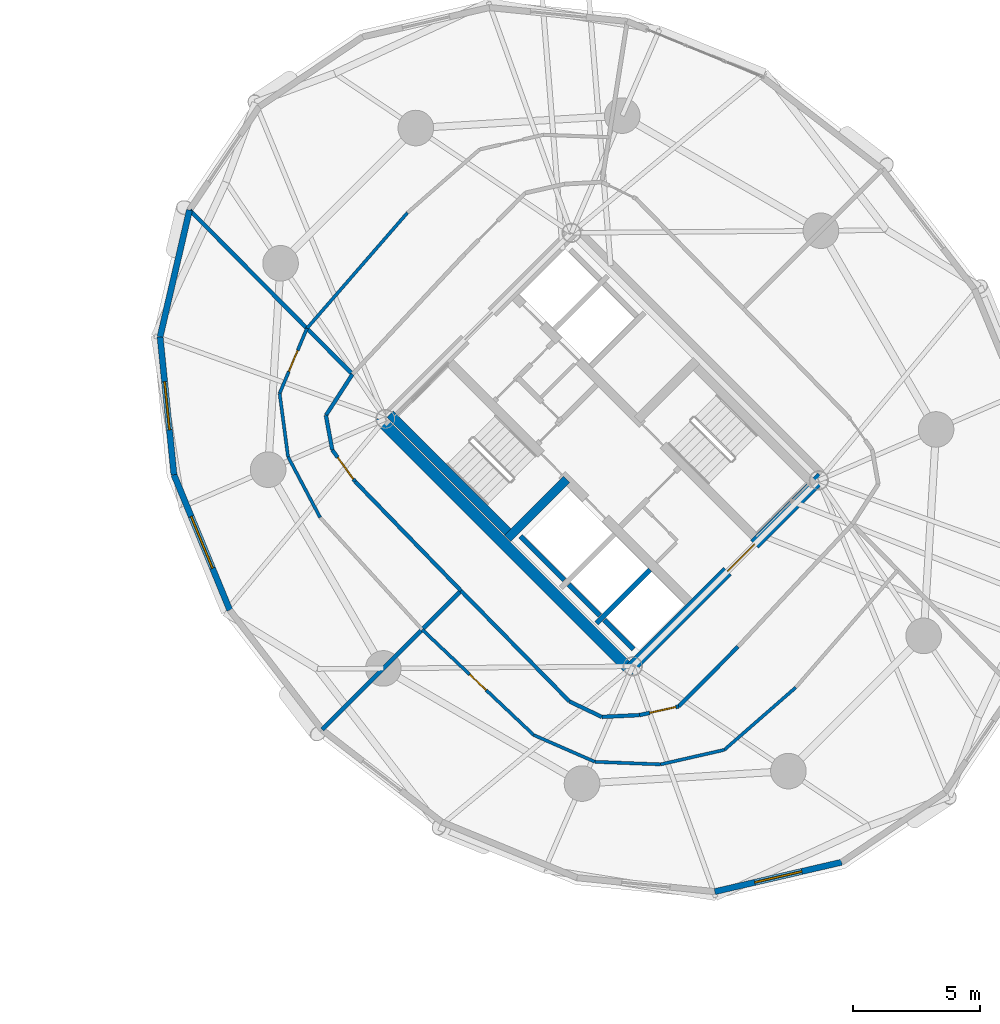
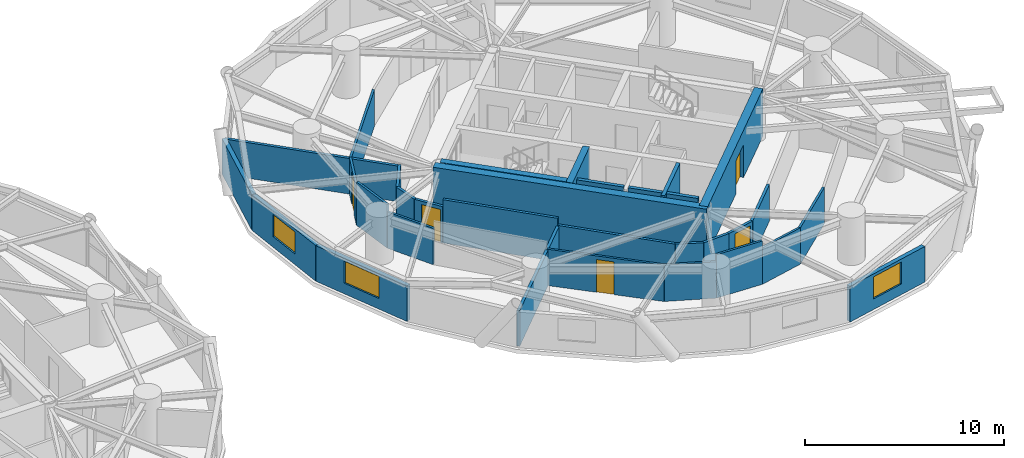
# One storey, part 12 of 17: 32 walls, 5 doors, 3 windows, 8 openings.
"""IFC4 building model written with IfcOpenShell, lengths in metres."""

from ifc_helpers import new_model, si_unit, direction, frame, frame_2d, origin, place, context, subcontext, project, spatial, rectangle, extrude, source, transform, mapped, material, layer, layer_set, type_object, element, fill, save


model = new_model("IFC4")

# Units and contexts
model_context = context("Model", 3, precision=1e-05, world=origin(), true_north=direction((0.0, 1.0)))
body_context = subcontext(model_context, "Body", "Model", "MODEL_VIEW")
ifc_project = project(units=[si_unit("LENGTHUNIT", "METRE"), si_unit("AREAUNIT", "SQUARE_METRE"), si_unit("VOLUMEUNIT", "CUBIC_METRE"), si_unit("PLANEANGLEUNIT", "RADIAN"), si_unit("MASSUNIT", "GRAM", prefix="KILO")], contexts=[model_context])

# Site, building, storey
site_placement = place(None, origin())
site = spatial("IfcSite", under=ifc_project, at=site_placement, CompositionType="ELEMENT")
building_placement = place(site_placement, origin())
building = spatial("IfcBuilding", under=site, at=building_placement, Name="Cununo Teusaquillo Station Towers", CompositionType="ELEMENT")
storey_placement = place(building_placement, frame((0.0, 0.0, 90.52001953125)))
storey = spatial("IfcBuildingStorey", under=building, at=storey_placement, Name="L28", CompositionType="ELEMENT", Elevation=90.52001953125)

# Walls
ifc_material_1 = material(Name="Concrete C50/60", Category="concrete")
ifc_layer_1 = layer(ifc_material_1, 0.199951171875)
ifc_layer_set_1 = layer_set([ifc_layer_1], Name="Concrete C50/60")
wall_type_1 = type_object("IfcWallType", Name="WL-CORE-200", PredefinedType="SHEAR", material=ifc_layer_set_1)
wall_1_placement = place(storey_placement, frame((56.01513671875, 19.366455078125, 0.0), z_axis=(0.0, 0.0, 1.0), x_axis=(-0.707106781187, 0.707106781187, 0.0)))
element("IfcWall", 1, at=wall_1_placement, inside=storey, type_object=wall_type_1, Name="L28 Tower B Firefighting Lift Shaft Rear Shear Wall", PredefinedType="SHEAR", context=body_context, shape_type="SweptSolid", body=[
    extrude(rectangle(XDim=2.43994140625, YDim=0.199951171875, at=frame_2d((1.219970703125, 0.0))), origin(), (0.0, 0.0, 1.0), 2.909912109375),
])
wall_2_placement = place(storey_placement, frame((57.2841796875, 17.6728515625, 0.0), z_axis=(0.0, 0.0, 1.0), x_axis=(0.707147878904, 0.70706568108, 0.0)))
element("IfcWall", 2, at=wall_2_placement, inside=storey, type_object=wall_type_1, Name="L28 Tower B High-Rise Lift Hoistway Divider Shear Wall", PredefinedType="SHEAR", context=body_context, shape_type="SweptSolid", body=[
    extrude(rectangle(XDim=2.97021484375, YDim=0.199951171875, at=frame_2d((1.485107421875, 0.0))), origin(), (0.0, 0.0, 1.0), 2.909912109375),
])
wall_3_placement = place(storey_placement, frame((57.41162109375, 17.969970703125, 0.0), z_axis=(0.0, 0.0, 1.0), x_axis=(-0.707106781187, 0.707106781187, 0.0)))
element("IfcWall", 3, at=wall_3_placement, inside=storey, type_object=wall_type_1, Name="L28 Tower B High-Rise Lift 2 Shaft Rear Shear Wall", PredefinedType="SHEAR", context=body_context, shape_type="SweptSolid", body=[
    extrude(rectangle(XDim=1.73486328125, YDim=0.199951171875, at=frame_2d((0.867431640625, 0.0))), origin(), (0.0, 0.0, 1.0), 2.909912109375),
])
wall_4_placement = place(storey_placement, frame((58.7373046875, 16.64404296875, 0.0), z_axis=(0.0, 0.0, 1.0), x_axis=(-0.707032117043, 0.707181437447, 0.0)))
element("IfcWall", 4, at=wall_4_placement, inside=storey, type_object=wall_type_1, Name="L28 Tower B High-Rise Lift 1 Shaft Rear Shear Wall", PredefinedType="SHEAR", context=body_context, shape_type="SweptSolid", body=[
    extrude(rectangle(XDim=1.635009765625, YDim=0.199951171875, at=frame_2d((0.8173828125, 0.0))), origin(), (0.0, 0.0, 1.0), 2.909912109375),
])
ifc_material_2 = material(Name="Concrete C50/60", Category="concrete")
ifc_layer_2 = layer(ifc_material_2, 0.35009765625)
ifc_layer_set_2 = layer_set([ifc_layer_2], Name="Concrete C50/60")
wall_type_2 = type_object("IfcWallType", Name="WL-CORE-350", PredefinedType="SHEAR", material=ifc_layer_set_2)
wall_5_placement = place(storey_placement, frame((53.922119140625, 21.14111328125, 0.0), z_axis=(0.0, 0.0, 1.0), x_axis=(-0.707088616009, 0.707124945897, 0.0)))
element("IfcWall", 5, at=wall_5_placement, inside=storey, type_object=wall_type_2, Name="L28 Tower B Core Shear Wall ST1W", PredefinedType="SHEAR", context=body_context, shape_type="SweptSolid", body=[
    extrude(rectangle(XDim=6.72021484375, YDim=0.35009765625, at=frame_2d((3.360107421875, 0.0))), origin(), (0.0, 0.0, 1.0), 2.909912109375),
])
wall_6_placement = place(storey_placement, frame((53.7841796875, 21.00341796875, 0.0), z_axis=(0.0, 0.0, 1.0), x_axis=(0.707106781187, 0.707106781187, 0.0)))
element("IfcWall", 6, at=wall_6_placement, inside=storey, type_object=wall_type_2, Name="L28 Tower B Core Shear Wall ST1S", PredefinedType="SHEAR", context=body_context, shape_type="SweptSolid", body=[
    extrude(rectangle(XDim=3.284912109375, YDim=0.35009765625, at=frame_2d((1.642578125, 0.0))), origin(), (0.0, 0.0, 1.0), 2.909912109375),
])
ifc_material_3 = material(Name="Concrete C60/75", Category="concrete")
ifc_layer_3 = layer(ifc_material_3, 0.449951171875)
ifc_layer_set_3 = layer_set([ifc_layer_3], Name="Concrete C60/75")
wall_type_3 = type_object("IfcWallType", Name="WL-CORE-450", PredefinedType="SHEAR", material=ifc_layer_set_3)
wall_7_placement = place(storey_placement, frame((58.7373046875, 15.696533203125, 0.0), z_axis=(0.0, 0.0, 1.0), x_axis=(-0.707106781187, 0.707106781187, 0.0)))
element("IfcWall", 7, at=wall_7_placement, inside=storey, type_object=wall_type_3, Name="L28 Tower B Core Shear Wall W", PredefinedType="SHEAR", context=body_context, shape_type="SweptSolid", body=[
    extrude(rectangle(XDim=14.19970703125, YDim=0.449951171875, at=frame_2d((7.099853515625, 0.0))), origin(), (0.0, 0.0, 1.0), 2.909912109375),
])

# Wall, opening, door
wall_8_placement = place(storey_placement, frame((58.578369140625, 15.855712890625, 0.0), z_axis=(0.0, 0.0, 1.0), x_axis=(0.707106781187, 0.707106781187, 0.0)))
wall_8 = element("IfcWall", 8, at=wall_8_placement, inside=storey, type_object=wall_type_3, Name="L28 Tower B Core Shear Wall S", PredefinedType="SHEAR", context=body_context, shape_type="SweptSolid", body=[
    extrude(rectangle(XDim=10.69970703125, YDim=0.449951171875, at=frame_2d((5.349853515625, 0.0))), origin(), (0.0, 0.0, 1.0), 2.909912109375),
])
shared_shape_1 = source(origin(), body_context, "Body", "SweptSolid", [
    extrude(rectangle(XDim=1.5, YDim=2.02001953125, at=frame_2d((0.75, 1.010009765625))), frame((0.0, 0.23486328125, 0.0), z_axis=(0.0, -1.0, 0.0), x_axis=(1.0, 0.0, 0.0)), (0.0, 0.0, 1.0), 0.469970703125),
])
opening_1_placement = place(wall_8_placement, frame((5.449951171875, 0.0, 0.0)))
opening_1 = element("IfcOpeningElement", 9, at=opening_1_placement, cuts=wall_8, Name="Opening D-LB1", PredefinedType="OPENING", context=body_context, shape_type="MappedRepresentation", body=[
    mapped(shared_shape_1, transform((0.0, 0.0, 0.0), x_axis=(1.0, 0.0, 0.0), y_axis=(0.0, 1.0, 0.0), z_axis=(0.0, 0.0, 1.0), scale=1.0)),
])
ifc_material_4 = material(Name="Galvanised fire-rated hollow steel door assembly", Category="steel")
door_type_1 = type_object("IfcDoorType", Name="DR-LOBBY-1500", OperationType="DOUBLE_DOOR_SINGLE_SWING", PredefinedType="DOOR", material=ifc_material_4)
shared_shape_2 = source(origin(), body_context, "Body", "SweptSolid", [
    extrude(rectangle(XDim=1.5, YDim=2.02001953125, at=frame_2d((0.75, 1.010009765625))), frame((0.0, 0.02490234375, 0.0), z_axis=(0.0, -1.0, 0.0), x_axis=(1.0, 0.0, 0.0)), (0.0, 0.0, 1.0), 0.050048828125),
])
door_1_placement = place(opening_1_placement, origin())
door_1 = element("IfcDoor", 10, at=door_1_placement, inside=storey, type_object=door_type_1, Name="L28 Tower B South Core Lift Lobby Door", OperationType="DOUBLE_DOOR_SINGLE_SWING", OverallHeight=2.02001953125, OverallWidth=1.5, PredefinedType="DOOR", context=body_context, shape_type="MappedRepresentation", body=[
    mapped(shared_shape_2, transform((0.0, 0.0, 0.0), x_axis=(1.0, 0.0, 0.0), y_axis=(0.0, 1.0, 0.0), z_axis=(0.0, 0.0, 1.0), scale=1.0)),
])
fill(opening_1, door_1)

# Wall
ifc_material_5 = material(Name="Precast concrete C40/50", Category="concrete")
ifc_layer_4 = layer(ifc_material_5, 0.239990234375)
ifc_layer_set_4 = layer_set([ifc_layer_4], Name="Precast concrete C40/50")
wall_type_4 = type_object("IfcWallType", Name="WL-EXT-240", PredefinedType="SOLIDWALL", material=ifc_layer_set_4)
wall_9_placement = place(storey_placement, frame((40.114990234375, 28.933349609375, 0.0), z_axis=(0.0, 0.0, 1.0), x_axis=(0.225834725257, 0.974165631126, 0.0)))
element("IfcWall", 11, at=wall_9_placement, inside=storey, type_object=wall_type_4, Name="L28 Tower B Exterior Facade Wall C06", PredefinedType="SOLIDWALL", context=body_context, shape_type="SweptSolid", body=[
    extrude(rectangle(XDim=5.118896484375, YDim=0.239990234375, at=frame_2d((2.5595703125, 0.0))), origin(), (0.0, 0.0, 1.0), 2.178955078125),
])

# Wall, opening, window
wall_10_placement = place(storey_placement, frame((40.66064453125, 23.5126953125, 0.0), z_axis=(0.0, 0.0, 1.0), x_axis=(-0.10015591906, 0.994971754311, 0.0)))
wall_10 = element("IfcWall", 12, at=wall_10_placement, inside=storey, type_object=wall_type_4, Name="L28 Tower B Exterior Facade Wall C07", PredefinedType="SOLIDWALL", context=body_context, shape_type="SweptSolid", body=[
    extrude(rectangle(XDim=5.447998046875, YDim=0.239990234375, at=frame_2d((2.72412109375, 0.0))), origin(), (0.0, 0.0, 1.0), 2.178955078125),
])
shared_shape_3 = source(origin(), body_context, "Body", "SweptSolid", [
    extrude(rectangle(XDim=1.89990234375, YDim=1.35009765625, at=frame_2d((0.949951171875, 0.675048828125))), frame((0.0, 0.1298828125, 0.0), z_axis=(0.0, -1.0, 0.0), x_axis=(1.0, 0.0, 0.0)), (0.0, 0.0, 1.0), 0.260009765625),
])
opening_2_placement = place(wall_10_placement, frame((1.77392578125, 0.0, 0.64990234375)))
opening_2 = element("IfcOpeningElement", 13, at=opening_2_placement, cuts=wall_10, Name="Opening WN-02", PredefinedType="OPENING", context=body_context, shape_type="MappedRepresentation", body=[
    mapped(shared_shape_3, transform((0.0, 0.0, 0.0), x_axis=(1.0, 0.0, 0.0), y_axis=(0.0, 1.0, 0.0), z_axis=(0.0, 0.0, 1.0), scale=1.0)),
])
ifc_material_6 = material(Name="Operable acoustic tinted low-E double glazing", Category="glass")
window_type_1 = type_object("IfcWindowType", Name="WIN-OPER-1900", PartitioningType="DOUBLE_PANEL_VERTICAL", PredefinedType="WINDOW", material=ifc_material_6)
shared_shape_4 = source(origin(), body_context, "Body", "SweptSolid", [
    extrude(rectangle(XDim=1.89990234375, YDim=1.35009765625, at=frame_2d((0.949951171875, 0.675048828125))), frame((0.0, 0.030029296875, 0.0), z_axis=(0.0, -1.0, 0.0), x_axis=(1.0, 0.0, 0.0)), (0.0, 0.0, 1.0), 0.06005859375),
])
window_1_placement = place(opening_2_placement, origin())
window_1 = element("IfcWindow", 14, at=window_1_placement, inside=storey, type_object=window_type_1, Name="L28 Tower B Facade Window C07", OverallHeight=1.35009765625, OverallWidth=1.89990234375, PartitioningType="DOUBLE_PANEL_VERTICAL", PredefinedType="WINDOW", context=body_context, shape_type="MappedRepresentation", body=[
    mapped(shared_shape_4, transform((0.0, 0.0, 0.0), x_axis=(1.0, 0.0, 0.0), y_axis=(0.0, 1.0, 0.0), z_axis=(0.0, 0.0, 1.0), scale=1.0)),
])
fill(opening_2, window_1)

wall_11_placement = place(storey_placement, frame((42.854736328125, 18.188720703125, 0.0), z_axis=(0.0, 0.0, 1.0), x_axis=(-0.381027003055, 0.924563909604, 0.0)))
wall_11 = element("IfcWall", 15, at=wall_11_placement, inside=storey, type_object=wall_type_4, Name="L28 Tower B Exterior Facade Wall C08", PredefinedType="SOLIDWALL", context=body_context, shape_type="SweptSolid", body=[
    extrude(rectangle(XDim=5.75830078125, YDim=0.239990234375, at=frame_2d((2.879150390625, 0.0))), origin(), (0.0, 0.0, 1.0), 2.178955078125),
])
shared_shape_5 = source(origin(), body_context, "Body", "SweptSolid", [
    extrude(rectangle(XDim=2.199951171875, YDim=1.35009765625, at=frame_2d((1.10009765625, 0.675048828125))), frame((0.0, 0.1298828125, 0.0), z_axis=(0.0, -1.0, 0.0), x_axis=(1.0, 0.0, 0.0)), (0.0, 0.0, 1.0), 0.260009765625),
])
opening_3_placement = place(wall_11_placement, frame((1.779052734375, 0.0, 0.64990234375)))
opening_3 = element("IfcOpeningElement", 16, at=opening_3_placement, cuts=wall_11, Name="Opening WN-01", PredefinedType="OPENING", context=body_context, shape_type="MappedRepresentation", body=[
    mapped(shared_shape_5, transform((0.0, 0.0, 0.0), x_axis=(1.0, 0.0, 0.0), y_axis=(0.0, 1.0, 0.0), z_axis=(0.0, 0.0, 1.0), scale=1.0)),
])
ifc_material_7 = material(Name="Ceramic-fritted dark low-E double glazing", Category="glass")
window_type_2 = type_object("IfcWindowType", Name="WIN-FRIT-2200", PartitioningType="DOUBLE_PANEL_VERTICAL", PredefinedType="WINDOW", material=ifc_material_7)
shared_shape_6 = source(origin(), body_context, "Body", "SweptSolid", [
    extrude(rectangle(XDim=2.199951171875, YDim=1.35009765625, at=frame_2d((1.10009765625, 0.675048828125))), frame((0.0, 0.030029296875, 0.0), z_axis=(0.0, -1.0, 0.0), x_axis=(1.0, 0.0, 0.0)), (0.0, 0.0, 1.0), 0.06005859375),
])
window_2_placement = place(opening_3_placement, origin())
window_2 = element("IfcWindow", 17, at=window_2_placement, inside=storey, type_object=window_type_2, Name="L28 Tower B Facade Window C08", OverallHeight=1.35009765625, OverallWidth=2.199951171875, PartitioningType="DOUBLE_PANEL_VERTICAL", PredefinedType="WINDOW", context=body_context, shape_type="MappedRepresentation", body=[
    mapped(shared_shape_6, transform((0.0, 0.0, 0.0), x_axis=(1.0, 0.0, 0.0), y_axis=(0.0, 1.0, 0.0), z_axis=(0.0, 0.0, 1.0), scale=1.0)),
])
fill(opening_3, window_2)

wall_12_placement = place(storey_placement, frame((66.919921875, 8.27099609375, 0.0), z_axis=(0.0, 0.0, 1.0), x_axis=(-0.974165631126, -0.225834725257, 0.0)))
wall_12 = element("IfcWall", 18, at=wall_12_placement, inside=storey, type_object=wall_type_4, Name="L28 Tower B Exterior Facade Wall C13", PredefinedType="SOLIDWALL", context=body_context, shape_type="SweptSolid", body=[
    extrude(rectangle(XDim=5.118896484375, YDim=0.239990234375, at=frame_2d((2.5595703125, 0.0))), origin(), (0.0, 0.0, 1.0), 2.178955078125),
])
opening_4_placement = place(wall_12_placement, frame((1.60888671875, 0.0, 0.64990234375)))
opening_4 = element("IfcOpeningElement", 19, at=opening_4_placement, cuts=wall_12, Name="Opening WN-02", PredefinedType="OPENING", context=body_context, shape_type="MappedRepresentation", body=[
    mapped(shared_shape_3, transform((0.0, 0.0, 0.0), x_axis=(1.0, 0.0, 0.0), y_axis=(0.0, 1.0, 0.0), z_axis=(0.0, 0.0, 1.0), scale=1.0)),
])
window_3_placement = place(opening_4_placement, origin())
window_3 = element("IfcWindow", 20, at=window_3_placement, inside=storey, type_object=window_type_1, Name="L28 Tower B Facade Window C13", OverallHeight=1.35009765625, OverallWidth=1.89990234375, PartitioningType="DOUBLE_PANEL_VERTICAL", PredefinedType="WINDOW", context=body_context, shape_type="MappedRepresentation", body=[
    mapped(shared_shape_4, transform((0.0, 0.0, 0.0), x_axis=(1.0, 0.0, 0.0), y_axis=(0.0, 1.0, 0.0), z_axis=(0.0, 0.0, 1.0), scale=1.0)),
])
fill(opening_4, window_3)

# Wall
ifc_material_8 = material(Name="Fire-rated gypsum plasterboard partition assembly", Category="gypsum")
ifc_layer_5 = layer(ifc_material_8, 0.125)
ifc_layer_set_5 = layer_set([ifc_layer_5], Name="Fire-rated gypsum plasterboard partition assembly")
wall_type_5 = type_object("IfcWallType", Name="WL-PART-125", PredefinedType="PARTITIONING", material=ifc_layer_set_5)
wall_13_placement = place(storey_placement, frame((49.845458984375, 33.817138671875, 0.0), z_axis=(0.0, 0.0, 1.0), x_axis=(-0.656101508867, -0.754672650931, 0.0)))
element("IfcWall", 21, at=wall_13_placement, inside=storey, type_object=wall_type_5, Name="L28 Tower B Parametric Prototyping Lab Concentric Partition Wall C05", PredefinedType="PARTITIONING", context=body_context, shape_type="SweptSolid", body=[
    extrude(rectangle(XDim=6.028564453125, YDim=0.125, at=frame_2d((3.01416015625, 0.0))), origin(), (0.0, 0.0, 1.0), 2.22509765625),
])

# Wall, opening, door
wall_14_placement = place(storey_placement, frame((45.89013671875, 29.267578125, 0.0), z_axis=(0.0, 0.0, 1.0), x_axis=(-0.387057419757, -0.922055613188, 0.0)))
wall_14 = element("IfcWall", 22, at=wall_14_placement, inside=storey, type_object=wall_type_5, Name="L28 Tower B Client Demo Briefing Gallery Concentric Partition Wall C06", PredefinedType="PARTITIONING", context=body_context, shape_type="SweptSolid", body=[
    extrude(rectangle(XDim=2.774169921875, YDim=0.125, at=frame_2d((1.38720703125, 0.0))), origin(), (0.0, 0.0, 1.0), 2.22509765625),
])
shared_shape_7 = source(origin(), body_context, "Body", "SweptSolid", [
    extrude(rectangle(XDim=0.89990234375, YDim=2.0048828125, at=frame_2d((0.449951171875, 1.00244140625))), frame((0.0, 0.072509765625, 0.0), z_axis=(0.0, -1.0, 0.0), x_axis=(1.0, 0.0, 0.0)), (0.0, 0.0, 1.0), 0.14501953125),
])
opening_5_placement = place(wall_14_placement, frame((0.93701171875, 0.0, 0.0)))
opening_5 = element("IfcOpeningElement", 23, at=opening_5_placement, cuts=wall_14, Name="Opening D-IN1", PredefinedType="OPENING", context=body_context, shape_type="MappedRepresentation", body=[
    mapped(shared_shape_7, transform((0.0, 0.0, 0.0), x_axis=(1.0, 0.0, 0.0), y_axis=(0.0, 1.0, 0.0), z_axis=(0.0, 0.0, 1.0), scale=1.0)),
])
ifc_material_9 = material(Name="Acoustic solid-core hardwood leaf assembly", Category="wood")
door_type_2 = type_object("IfcDoorType", Name="DR-INT-900", OperationType="NOTDEFINED", PredefinedType="DOOR", material=ifc_material_9)
shared_shape_8 = source(origin(), body_context, "Body", "SweptSolid", [
    extrude(rectangle(XDim=0.89990234375, YDim=2.0048828125, at=frame_2d((0.449951171875, 1.00244140625))), frame((0.0, 0.02490234375, 0.0), z_axis=(0.0, -1.0, 0.0), x_axis=(1.0, 0.0, 0.0)), (0.0, 0.0, 1.0), 0.050048828125),
])
door_2_placement = place(opening_5_placement, origin())
door_2 = element("IfcDoor", 24, at=door_2_placement, inside=storey, type_object=door_type_2, Name="L28 Tower B Client Demo Briefing Gallery Connecting Door", OperationType="SINGLE_SWING_RIGHT", OverallHeight=2.0048828125, OverallWidth=0.89990234375, PredefinedType="DOOR", context=body_context, shape_type="MappedRepresentation", body=[
    mapped(shared_shape_8, transform((0.0, 0.0, 0.0), x_axis=(1.0, 0.0, 0.0), y_axis=(0.0, 1.0, 0.0), z_axis=(0.0, 0.0, 1.0), scale=1.0)),
])
fill(opening_5, door_2)

# Walls
wall_15_placement = place(storey_placement, frame((44.81640625, 26.709716796875, 0.0), z_axis=(0.0, 0.0, 1.0), x_axis=(0.131724981355, -0.991286300363, 0.0)))
element("IfcWall", 25, at=wall_15_placement, inside=storey, type_object=wall_type_5, Name="L28 Tower B Client Demo Briefing Gallery Concentric Partition Wall C07", PredefinedType="PARTITIONING", context=body_context, shape_type="SweptSolid", body=[
    extrude(rectangle(XDim=2.51513671875, YDim=0.125, at=frame_2d((1.257568359375, 0.0))), origin(), (0.0, 0.0, 1.0), 2.655029296875),
])
wall_16_placement = place(storey_placement, frame((45.147705078125, 24.216552734375, 0.0), z_axis=(0.0, 0.0, 1.0), x_axis=(0.46760107134, -0.883939612237, 0.0)))
element("IfcWall", 26, at=wall_16_placement, inside=storey, type_object=wall_type_5, Name="L28 Tower B Client Demo Briefing Gallery Concentric Partition Wall C08", PredefinedType="PARTITIONING", context=body_context, shape_type="SweptSolid", body=[
    extrude(rectangle(XDim=2.700439453125, YDim=0.125, at=frame_2d((1.35009765625, 0.0))), origin(), (0.0, 0.0, 1.0), 2.22509765625),
])

# Wall, opening, door
wall_17_placement = place(storey_placement, frame((50.422607421875, 17.422607421875, 0.0), z_axis=(0.0, 0.0, 1.0), x_axis=(0.726497320663, -0.68716929724, 0.0)))
wall_17 = element("IfcWall", 27, at=wall_17_placement, inside=storey, type_object=wall_type_5, Name="L28 Tower B Staff Espresso & Pantry Lounge Concentric Partition Wall C10", PredefinedType="PARTITIONING", context=body_context, shape_type="SweptSolid", body=[
    extrude(rectangle(XDim=6.040283203125, YDim=0.125, at=frame_2d((3.02001953125, 0.0))), origin(), (0.0, 0.0, 1.0), 2.22509765625),
])
opening_6_placement = place(wall_17_placement, frame((2.570068359375, 0.0, 0.0)))
opening_6 = element("IfcOpeningElement", 28, at=opening_6_placement, cuts=wall_17, Name="Opening D-IN1", PredefinedType="OPENING", context=body_context, shape_type="MappedRepresentation", body=[
    mapped(shared_shape_7, transform((0.0, 0.0, 0.0), x_axis=(1.0, 0.0, 0.0), y_axis=(0.0, 1.0, 0.0), z_axis=(0.0, 0.0, 1.0), scale=1.0)),
])
door_3_placement = place(opening_6_placement, origin())
door_3 = element("IfcDoor", 29, at=door_3_placement, inside=storey, type_object=door_type_2, Name="L28 Tower B Staff Espresso & Pantry Lounge Connecting Door", OperationType="SINGLE_SWING_RIGHT", OverallHeight=2.0048828125, OverallWidth=0.89990234375, PredefinedType="DOOR", context=body_context, shape_type="MappedRepresentation", body=[
    mapped(shared_shape_8, transform((0.0, 0.0, 0.0), x_axis=(1.0, 0.0, 0.0), y_axis=(0.0, 1.0, 0.0), z_axis=(0.0, 0.0, 1.0), scale=1.0)),
])
fill(opening_6, door_3)

# Walls
wall_18_placement = place(storey_placement, frame((54.810791015625, 13.27197265625, 0.0), z_axis=(0.0, 0.0, 1.0), x_axis=(0.91625765715, -0.400589447831, 0.0)))
element("IfcWall", 30, at=wall_18_placement, inside=storey, type_object=wall_type_5, Name="L28 Tower B Staff Espresso & Pantry Lounge Concentric Partition Wall C11", PredefinedType="PARTITIONING", context=body_context, shape_type="SweptSolid", body=[
    extrude(rectangle(XDim=2.624267578125, YDim=0.125, at=frame_2d((1.31201171875, 0.0))), origin(), (0.0, 0.0, 1.0), 2.22509765625),
])
wall_19_placement = place(storey_placement, frame((57.21533203125, 12.220703125, 0.0), z_axis=(0.0, 0.0, 1.0), x_axis=(0.999225050732, -0.039361122818, 0.0)))
element("IfcWall", 31, at=wall_19_placement, inside=storey, type_object=wall_type_5, Name="L28 Tower B Staff Espresso & Pantry Lounge Concentric Partition Wall C12", PredefinedType="PARTITIONING", context=body_context, shape_type="SweptSolid", body=[
    extrude(rectangle(XDim=2.58642578125, YDim=0.125, at=frame_2d((1.293212890625, 0.0))), origin(), (0.0, 0.0, 1.0), 2.655029296875),
])
wall_20_placement = place(storey_placement, frame((59.7998046875, 12.118896484375, 0.0), z_axis=(0.0, 0.0, 1.0), x_axis=(0.975045061532, 0.222007044895, 0.0)))
element("IfcWall", 32, at=wall_20_placement, inside=storey, type_object=wall_type_5, Name="L28 Tower B Staff Espresso & Pantry Lounge Concentric Partition Wall C13", PredefinedType="PARTITIONING", context=body_context, shape_type="SweptSolid", body=[
    extrude(rectangle(XDim=2.570068359375, YDim=0.125, at=frame_2d((1.28515625, 0.0))), origin(), (0.0, 0.0, 1.0), 2.22509765625),
])
wall_21_placement = place(storey_placement, frame((62.3056640625, 12.689453125, 0.0), z_axis=(0.0, 0.0, 1.0), x_axis=(0.753127589311, 0.657874482115, 0.0)))
element("IfcWall", 33, at=wall_21_placement, inside=storey, type_object=wall_type_5, Name="L28 Tower B Staff Espresso & Pantry Lounge Concentric Partition Wall C14", PredefinedType="PARTITIONING", context=body_context, shape_type="SweptSolid", body=[
    extrude(rectangle(XDim=3.73193359375, YDim=0.125, at=frame_2d((1.865966796875, 0.0))), origin(), (0.0, 0.0, 1.0), 2.22509765625),
])
ifc_material_10 = material(Name="Fire-rated gypsum plasterboard partition assembly", Category="gypsum")
ifc_layer_6 = layer(ifc_material_10, 0.14990234375)
ifc_layer_set_6 = layer_set([ifc_layer_6], Name="Fire-rated gypsum plasterboard partition assembly")
wall_type_6 = type_object("IfcWallType", Name="WL-PART-150", PredefinedType="PARTITIONING", material=ifc_layer_set_6)
wall_22_placement = place(storey_placement, frame((47.6796875, 27.462158203125, 0.0), z_axis=(0.0, 0.0, 1.0), x_axis=(-0.542097952486, -0.840315303865, 0.0)))
element("IfcWall", 34, at=wall_22_placement, inside=storey, type_object=wall_type_6, Name="L28 Tower B Corridor Ring Wall C06", PredefinedType="PARTITIONING", context=body_context, shape_type="SweptSolid", body=[
    extrude(rectangle(XDim=1.923095703125, YDim=0.14990234375, at=frame_2d((0.96142578125, 0.0))), origin(), (0.0, 0.0, 1.0), 2.22509765625),
])
wall_23_placement = place(storey_placement, frame((46.63720703125, 25.84619140625, 0.0), z_axis=(0.0, 0.0, 1.0), x_axis=(0.179617307107, -0.983736561782, 0.0)))
element("IfcWall", 35, at=wall_23_placement, inside=storey, type_object=wall_type_6, Name="L28 Tower B Corridor Ring Wall C07", PredefinedType="PARTITIONING", context=body_context, shape_type="SweptSolid", body=[
    extrude(rectangle(XDim=1.379638671875, YDim=0.14990234375, at=frame_2d((0.68994140625, 0.0))), origin(), (0.0, 0.0, 1.0), 2.22509765625),
])

# Wall, opening, door
wall_24_placement = place(storey_placement, frame((46.885009765625, 24.489013671875, 0.0), z_axis=(0.0, 0.0, 1.0), x_axis=(0.585716430945, -0.810516047047, 0.0)))
wall_24 = element("IfcWall", 36, at=wall_24_placement, inside=storey, type_object=wall_type_6, Name="L28 Tower B Corridor Ring Wall C08", PredefinedType="PARTITIONING", context=body_context, shape_type="SweptSolid", body=[
    extrude(rectangle(XDim=1.538818359375, YDim=0.14990234375, at=frame_2d((0.76953125, 0.0))), origin(), (0.0, 0.0, 1.0), 2.22509765625),
])
shared_shape_9 = source(origin(), body_context, "Body", "SweptSolid", [
    extrude(rectangle(XDim=1.050048828125, YDim=2.014892578125, at=frame_2d((0.52490234375, 1.00732421875))), frame((0.0, 0.0849609375, 0.0), z_axis=(0.0, -1.0, 0.0), x_axis=(1.0, 0.0, 0.0)), (0.0, 0.0, 1.0), 0.169921875),
])
opening_7_placement = place(wall_24_placement, frame((0.36865234375, 0.0, 0.0)))
opening_7 = element("IfcOpeningElement", 37, at=opening_7_placement, cuts=wall_24, Name="Opening D-SU1", PredefinedType="OPENING", context=body_context, shape_type="MappedRepresentation", body=[
    mapped(shared_shape_9, transform((0.0, 0.0, 0.0), x_axis=(1.0, 0.0, 0.0), y_axis=(0.0, 1.0, 0.0), z_axis=(0.0, 0.0, 1.0), scale=1.0)),
])
ifc_material_11 = material(Name="Acoustic solid-core hardwood leaf assembly", Category="wood")
door_type_3 = type_object("IfcDoorType", Name="DR-SUITE-1050", OperationType="NOTDEFINED", PredefinedType="DOOR", material=ifc_material_11)
shared_shape_10 = source(origin(), body_context, "Body", "SweptSolid", [
    extrude(rectangle(XDim=1.050048828125, YDim=2.014892578125, at=frame_2d((0.52490234375, 1.00732421875))), frame((0.0, 0.02490234375, 0.0), z_axis=(0.0, -1.0, 0.0), x_axis=(1.0, 0.0, 0.0)), (0.0, 0.0, 1.0), 0.050048828125),
])
door_4_placement = place(opening_7_placement, origin())
door_4 = element("IfcDoor", 38, at=door_4_placement, inside=storey, type_object=door_type_3, Name="L28 Tower B Client Demo Briefing Gallery Entrance Door", OperationType="SINGLE_SWING_LEFT", OverallHeight=2.014892578125, OverallWidth=1.050048828125, PredefinedType="DOOR", context=body_context, shape_type="MappedRepresentation", body=[
    mapped(shared_shape_10, transform((0.0, 0.0, 0.0), x_axis=(1.0, 0.0, 0.0), y_axis=(0.0, 1.0, 0.0), z_axis=(0.0, 0.0, 1.0), scale=1.0)),
])
fill(opening_7, door_4)

# Walls
wall_25_placement = place(storey_placement, frame((47.786376953125, 23.24169921875, 0.0), z_axis=(0.0, 0.0, 1.0), x_axis=(0.696183456981, -0.717863910659, 0.0)))
element("IfcWall", 39, at=wall_25_placement, inside=storey, type_object=wall_type_6, Name="L28 Tower B Corridor Ring Wall C09", PredefinedType="PARTITIONING", context=body_context, shape_type="SweptSolid", body=[
    extrude(rectangle(XDim=5.9794921875, YDim=0.14990234375, at=frame_2d((2.98974609375, 0.0))), origin(), (0.0, 0.0, 1.0), 2.655029296875),
])
wall_26_placement = place(storey_placement, frame((51.94921875, 18.94921875, 0.0), z_axis=(0.0, 0.0, 1.0), x_axis=(0.699801520154, -0.714337337951, 0.0)))
element("IfcWall", 40, at=wall_26_placement, inside=storey, type_object=wall_type_6, Name="L28 Tower B Corridor Ring Wall C10", PredefinedType="PARTITIONING", context=body_context, shape_type="SweptSolid", body=[
    extrude(rectangle(XDim=6.096923828125, YDim=0.14990234375, at=frame_2d((3.04833984375, 0.0))), origin(), (0.0, 0.0, 1.0), 2.22509765625),
])
wall_27_placement = place(storey_placement, frame((56.2158203125, 14.593994140625, 0.0), z_axis=(0.0, 0.0, 1.0), x_axis=(0.902219207281, -0.431277755064, 0.0)))
element("IfcWall", 41, at=wall_27_placement, inside=storey, type_object=wall_type_6, Name="L28 Tower B Corridor Ring Wall C11", PredefinedType="PARTITIONING", context=body_context, shape_type="SweptSolid", body=[
    extrude(rectangle(XDim=1.40966796875, YDim=0.14990234375, at=frame_2d((0.704833984375, 0.0))), origin(), (0.0, 0.0, 1.0), 2.22509765625),
])
wall_28_placement = place(storey_placement, frame((57.487548828125, 13.986083984375, 0.0), z_axis=(0.0, 0.0, 1.0), x_axis=(0.998863298217, 0.047666670476, 0.0)))
element("IfcWall", 42, at=wall_28_placement, inside=storey, type_object=wall_type_6, Name="L28 Tower B Corridor Ring Wall C12", PredefinedType="PARTITIONING", context=body_context, shape_type="SweptSolid", body=[
    extrude(rectangle(XDim=1.4853515625, YDim=0.14990234375, at=frame_2d((0.74267578125, 0.0))), origin(), (0.0, 0.0, 1.0), 2.22509765625),
])

# Wall, opening, door
wall_29_placement = place(storey_placement, frame((58.97119140625, 14.056884765625, 0.0), z_axis=(0.0, 0.0, 1.0), x_axis=(0.976085233804, 0.217388169756, 0.0)))
wall_29 = element("IfcWall", 43, at=wall_29_placement, inside=storey, type_object=wall_type_6, Name="L28 Tower B Corridor Ring Wall C13", PredefinedType="PARTITIONING", context=body_context, shape_type="SweptSolid", body=[
    extrude(rectangle(XDim=1.581298828125, YDim=0.14990234375, at=frame_2d((0.79052734375, 0.0))), origin(), (0.0, 0.0, 1.0), 2.22509765625),
])
opening_8_placement = place(wall_29_placement, frame((0.4111328125, 0.0, 0.0)))
opening_8 = element("IfcOpeningElement", 44, at=opening_8_placement, cuts=wall_29, Name="Opening D-SU1", PredefinedType="OPENING", context=body_context, shape_type="MappedRepresentation", body=[
    mapped(shared_shape_9, transform((0.0, 0.0, 0.0), x_axis=(1.0, 0.0, 0.0), y_axis=(0.0, 1.0, 0.0), z_axis=(0.0, 0.0, 1.0), scale=1.0)),
])
door_5_placement = place(opening_8_placement, origin())
door_5 = element("IfcDoor", 45, at=door_5_placement, inside=storey, type_object=door_type_3, Name="L28 Tower B Staff Espresso & Pantry Lounge Entrance Door", OperationType="SINGLE_SWING_LEFT", OverallHeight=2.014892578125, OverallWidth=1.050048828125, PredefinedType="DOOR", context=body_context, shape_type="MappedRepresentation", body=[
    mapped(shared_shape_10, transform((0.0, 0.0, 0.0), x_axis=(1.0, 0.0, 0.0), y_axis=(0.0, 1.0, 0.0), z_axis=(0.0, 0.0, 1.0), scale=1.0)),
])
fill(opening_8, door_5)

# Walls
wall_30_placement = place(storey_placement, frame((60.5146484375, 14.400634765625, 0.0), z_axis=(0.0, 0.0, 1.0), x_axis=(0.704179607439, 0.710021887316, 0.0)))
element("IfcWall", 46, at=wall_30_placement, inside=storey, type_object=wall_type_6, Name="L28 Tower B Corridor Ring Wall C14", PredefinedType="PARTITIONING", context=body_context, shape_type="SweptSolid", body=[
    extrude(rectangle(XDim=3.30126953125, YDim=0.14990234375, at=frame_2d((1.650634765625, 0.0))), origin(), (0.0, 0.0, 1.0), 2.22509765625),
])
ifc_material_12 = material(Name="Fire-rated gypsum plasterboard partition assembly", Category="gypsum")
ifc_layer_7 = layer(ifc_material_12, 0.159912109375)
ifc_layer_set_7 = layer_set([ifc_layer_7], Name="Fire-rated gypsum plasterboard partition assembly")
wall_type_7 = type_object("IfcWallType", Name="WL-PART-160", PredefinedType="PARTITIONING", material=ifc_layer_set_7)
wall_31_placement = place(storey_placement, frame((47.6796875, 27.462158203125, 0.0), z_axis=(0.0, 0.0, 1.0), x_axis=(-0.703913074907, 0.710286127539, 0.0)))
element("IfcWall", 47, at=wall_31_placement, inside=storey, type_object=wall_type_7, Name="L28 Tower B Radial Suite Partition R03", PredefinedType="PARTITIONING", context=body_context, shape_type="SweptSolid", body=[
    extrude(rectangle(XDim=9.0791015625, YDim=0.159912109375, at=frame_2d((4.53955078125, 0.0))), origin(), (0.0, 0.0, 1.0), 2.178955078125),
])
wall_32_placement = place(storey_placement, frame((51.94921875, 18.94921875, 0.0), z_axis=(0.0, 0.0, 1.0), x_axis=(-0.707106781187, -0.707106781187, 0.0)))
element("IfcWall", 48, at=wall_32_placement, inside=storey, type_object=wall_type_7, Name="L28 Tower B Radial Suite Partition R04", PredefinedType="PARTITIONING", context=body_context, shape_type="SweptSolid", body=[
    extrude(rectangle(XDim=7.711181640625, YDim=0.159912109375, at=frame_2d((3.85546875, 0.0))), origin(), (0.0, 0.0, 1.0), 2.178955078125),
])

save(model, "model.ifc")
